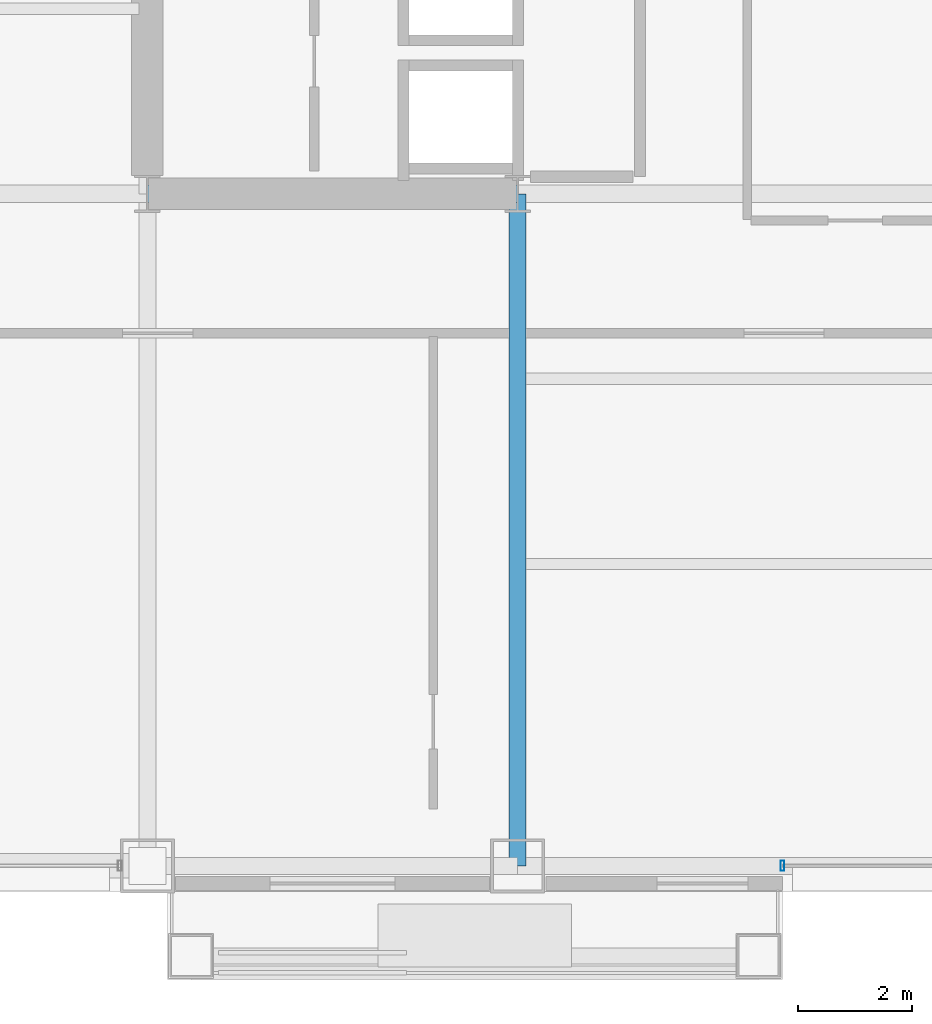
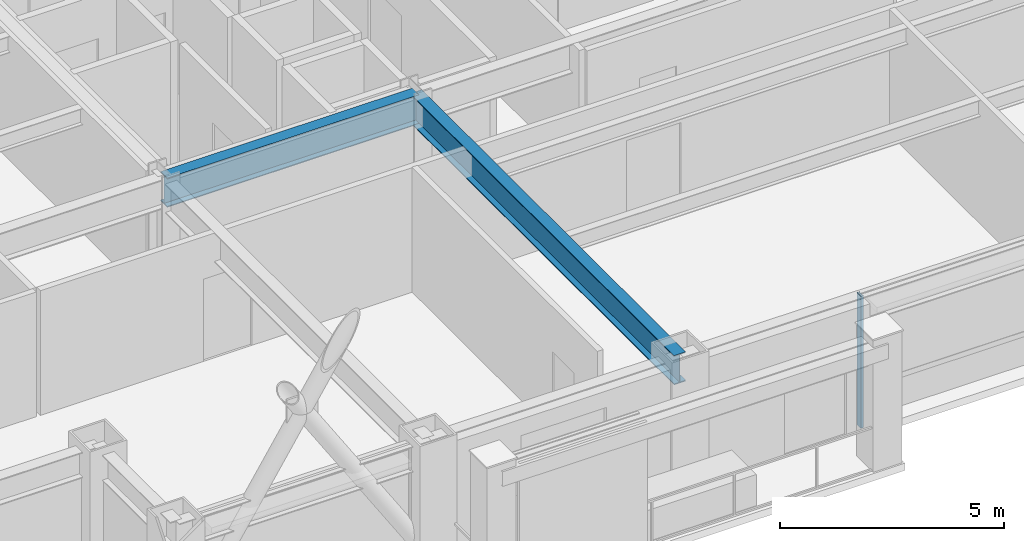
# One storey, part 7 of 34: 2 beams, 1 member, 1 element without a shape of its own.
"""IFC4 building model written with IfcOpenShell, lengths in metres."""

from ifc_helpers import new_model, si_unit, direction, frame, origin, origin_2d, place, context, subcontext, project, spatial, hollow_rectangle, i_section, extrude, material, layer, layer_set, material_profile, profile_set, type_object, element, aggregate, save


model = new_model("IFC4")

# Units and contexts
model_context = context("Model", 3, precision=1e-05, world=origin(), true_north=direction((0.0, 1.0)))
body_context = subcontext(model_context, "Body", "Model", "MODEL_VIEW")
ifc_project = project(units=[si_unit("LENGTHUNIT", "METRE"), si_unit("AREAUNIT", "SQUARE_METRE"), si_unit("VOLUMEUNIT", "CUBIC_METRE"), si_unit("PLANEANGLEUNIT", "RADIAN"), si_unit("MASSUNIT", "GRAM", prefix="KILO")], contexts=[model_context])

# Site, building, storey
site_placement = place(None, origin())
site = spatial("IfcSite", under=ifc_project, at=site_placement, CompositionType="ELEMENT")
building_placement = place(site_placement, origin())
building = spatial("IfcBuilding", under=site, at=building_placement, Name="Brelmoor Portico Tower", CompositionType="ELEMENT")
storey_placement = place(building_placement, frame((0.0, 0.0, 45.60009765625)))
storey = spatial("IfcBuildingStorey", under=building, at=storey_placement, Name="L11", CompositionType="ELEMENT", Elevation=45.60009765625)

# Beams
ifc_material_1 = material(Name="Steel Q355B", Category="steel")
ifc_material_profile_1 = material_profile(ifc_material_1, i_section(OverallWidth=0.300048828125, OverallDepth=0.800048828125, WebThickness=0.013916015625, FlangeThickness=0.02587890625, at=origin_2d()), Name="HN 800x300x14x26")
ifc_profile_set_1 = profile_set([ifc_material_profile_1], Name="Steel Q355B")
beam_type = type_object("IfcBeamType", Name="BM-PG-800", PredefinedType="BEAM", material=ifc_profile_set_1)
beam_1_placement = place(storey_placement, frame((-8.050048828125, -21.550048828125, 3.0), z_axis=(0.0, 1.0, 0.0), x_axis=(-1.0, 0.0, 0.0)))
element("IfcBeam", 1, at=beam_1_placement, inside=storey, type_object=beam_type, Name="L11 Primary Floor Girder PG-07", PredefinedType="BEAM", context=body_context, shape_type="SweptSolid", body=[
    extrude(i_section(OverallWidth=0.300048828125, OverallDepth=0.800048828125, WebThickness=0.013916015625, FlangeThickness=0.02587890625, at=origin_2d()), origin(), (0.0, 0.0, 1.0), 11.800048828125),
])
beam_2_placement = place(storey_placement, frame((-14.550048828125, -9.75, 3.0), z_axis=(1.0, 0.0, 0.0), x_axis=(0.0, 1.0, 0.0)))
element("IfcBeam", 2, at=beam_2_placement, inside=storey, type_object=beam_type, Name="L11 Primary Floor Girder PG-20", PredefinedType="BEAM", context=body_context, shape_type="SweptSolid", body=[
    extrude(i_section(OverallWidth=0.300048828125, OverallDepth=0.800048828125, WebThickness=0.013916015625, FlangeThickness=0.02587890625, at=origin_2d()), origin(), (0.0, 0.0, 1.0), 6.5),
])

# Curtain wall, member
ifc_material_2 = material(Name="Anodised Aluminium Alloy 6063-T6", Category="aluminium")
ifc_layer = layer(ifc_material_2, 0.179931640625)
ifc_layer_set = layer_set([ifc_layer], Name="Anodised Aluminium Alloy 6063-T6")
curtain_wall_type = type_object("IfcCurtainWallType", Name="CW-TOWER-Z1", PredefinedType="NOTDEFINED", material=ifc_layer_set)
curtain_wall_placement = place(storey_placement, origin())
curtain_wall = element("IfcCurtainWall", 3, at=curtain_wall_placement, inside=storey, type_object=curtain_wall_type, Name="L11 Curtain Wall CW-L11-1R-1", PredefinedType="NOTDEFINED")
ifc_material_profile_2 = material_profile(ifc_material_2, hollow_rectangle(XDim=0.06494140625, YDim=0.179931640625, WallThickness=0.00390625, at=origin_2d()), Name="ALU MULLION 65x180")
ifc_profile_set_2 = profile_set([ifc_material_profile_2], Name="Anodised Aluminium Alloy 6063-T6")
member_type = type_object("IfcMemberType", Name="MB-CW-MULL-180", PredefinedType="MULLION", material=ifc_profile_set_2)
member_placement = place(storey_placement, frame((-3.39990234375, -21.550048828125, -0.2001953125), z_axis=(0.0, 0.0, 1.0), x_axis=(1.0, 0.0, 0.0)))
member = element("IfcMember", 4, at=member_placement, type_object=member_type, Name="CW-L11-1R-1 Mullion 00", PredefinedType="MULLION", context=body_context, shape_type="SweptSolid", body=[
    extrude(hollow_rectangle(XDim=0.06494140625, YDim=0.179931640625, WallThickness=0.00390625, at=origin_2d()), origin(), (0.0, 0.0, 1.0), 3.60009765625),
])
aggregate(curtain_wall, [member])

save(model, "model.ifc")
